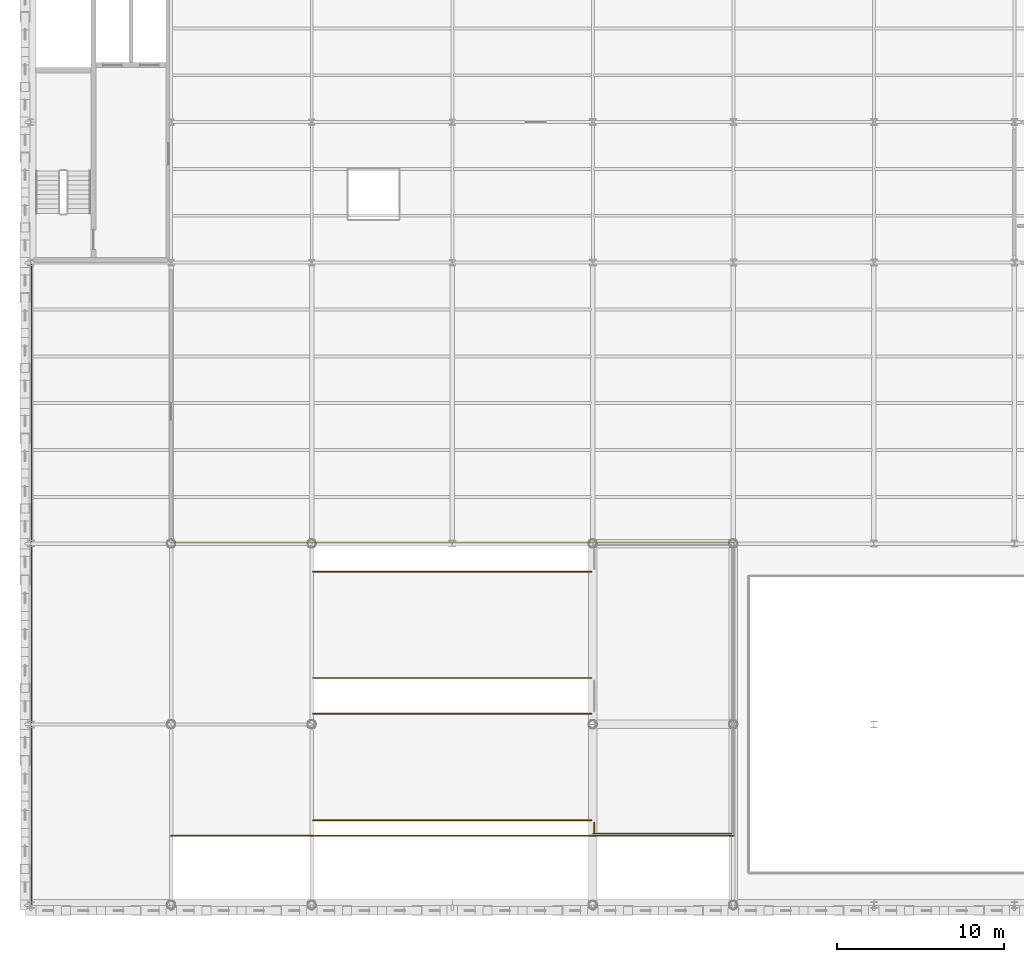
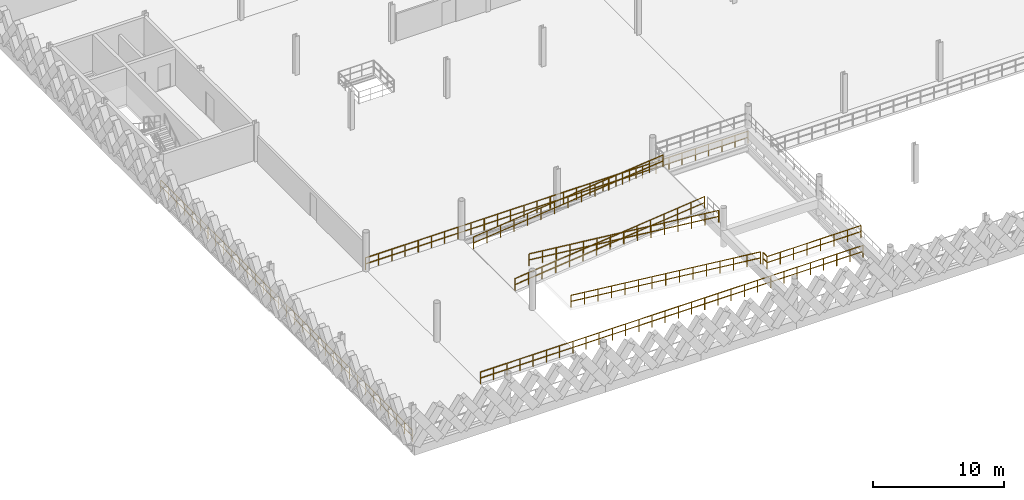
# One storey, part 91 of 101: 9 railings.
"""IFC4 building model written with IfcOpenShell, lengths in metres."""

from ifc_helpers import new_model, si_unit, direction, frame, origin, origin_2d, place, context, subcontext, project, spatial, circle, extrude, material, type_object, element, save


model = new_model("IFC4")

# Units and contexts
model_context = context("Model", 3, precision=1e-05, world=origin(), true_north=direction((0.0, 1.0)))
body_context = subcontext(model_context, "Body", "Model", "MODEL_VIEW")
ifc_project = project(units=[si_unit("LENGTHUNIT", "METRE"), si_unit("AREAUNIT", "SQUARE_METRE"), si_unit("VOLUMEUNIT", "CUBIC_METRE"), si_unit("PLANEANGLEUNIT", "RADIAN"), si_unit("MASSUNIT", "GRAM", prefix="KILO"), si_unit("THERMODYNAMICTEMPERATUREUNIT", "KELVIN"), si_unit("POWERUNIT", "WATT")], contexts=[model_context])

# Site, building, storey
site_placement = place(None, origin())
site = spatial("IfcSite", under=ifc_project, at=site_placement, CompositionType="ELEMENT")
building_placement = place(site_placement, origin())
building = spatial("IfcBuilding", under=site, at=building_placement, Name="Tembeka Court Mobility Hub", CompositionType="ELEMENT")
storey_placement = place(building_placement, frame((0.0, 0.0, 5.39990234375)))
storey = spatial("IfcBuildingStorey", under=building, at=storey_placement, Name="L01", CompositionType="ELEMENT", Elevation=5.39990234375)

# Railings
ifc_material = material(Name="Painted galvanised steel balustrade", Category="steel")
railing_type = type_object("IfcRailingType", Name="RL-GR02", PredefinedType="GUARDRAIL", material=ifc_material)
railing_1_placement = place(storey_placement, frame((0.050048828125, 0.080078125, 0.0)))
element("IfcRailing", 1, at=railing_1_placement, inside=storey, type_object=railing_type, Name="Perimeter guard GR02-0063", PredefinedType="GUARDRAIL", context=body_context, shape_type="SweptSolid", body=[
    extrude(circle(Radius=0.02392578125, at=origin_2d()), frame((0.0, 0.0, 1.09619140625), z_axis=(0.0, 1.0, 0.0), x_axis=(-1.0, 0.0, 0.0)), (0.0, 0.0, 1.0), 38.2900390625),
    extrude(circle(Radius=0.02392578125, at=origin_2d()), frame((0.0, 0.0, 0.5361328125), z_axis=(0.0, 1.0, 0.0), x_axis=(-1.0, 0.0, 0.0)), (0.0, 0.0, 1.0), 38.2900390625),
    extrude(circle(Radius=0.02099609375, at=origin_2d()), origin(), (0.0, 0.0, 1.0), 1.072021484375),
    extrude(circle(Radius=0.02099609375, at=origin_2d()), frame((0.0, 1.196533203125, 0.0)), (0.0, 0.0, 1.0), 1.072021484375),
    extrude(circle(Radius=0.02099609375, at=origin_2d()), frame((0.0, 2.39306640625, 0.0)), (0.0, 0.0, 1.0), 1.072021484375),
    extrude(circle(Radius=0.02099609375, at=origin_2d()), frame((0.0, 3.589599609375, 0.0)), (0.0, 0.0, 1.0), 1.072021484375),
    extrude(circle(Radius=0.02099609375, at=origin_2d()), frame((0.0, 4.7861328125, 0.0)), (0.0, 0.0, 1.0), 1.072021484375),
    extrude(circle(Radius=0.02099609375, at=origin_2d()), frame((0.0, 5.98291015625, 0.0)), (0.0, 0.0, 1.0), 1.072021484375),
    extrude(circle(Radius=0.02099609375, at=origin_2d()), frame((0.0, 7.179443359375, 0.0)), (0.0, 0.0, 1.0), 1.072021484375),
    extrude(circle(Radius=0.02099609375, at=origin_2d()), frame((0.0, 8.3759765625, 0.0)), (0.0, 0.0, 1.0), 1.072021484375),
    extrude(circle(Radius=0.02099609375, at=origin_2d()), frame((0.0, 9.572509765625, 0.0)), (0.0, 0.0, 1.0), 1.072021484375),
    extrude(circle(Radius=0.02099609375, at=origin_2d()), frame((0.0, 10.76904296875, 0.0)), (0.0, 0.0, 1.0), 1.072021484375),
    extrude(circle(Radius=0.02099609375, at=origin_2d()), frame((0.0, 11.965576171875, 0.0)), (0.0, 0.0, 1.0), 1.072021484375),
    extrude(circle(Radius=0.02099609375, at=origin_2d()), frame((0.0, 13.162109375, 0.0)), (0.0, 0.0, 1.0), 1.072021484375),
    extrude(circle(Radius=0.02099609375, at=origin_2d()), frame((0.0, 14.35888671875, 0.0)), (0.0, 0.0, 1.0), 1.072021484375),
    extrude(circle(Radius=0.02099609375, at=origin_2d()), frame((0.0, 15.555419921875, 0.0)), (0.0, 0.0, 1.0), 1.072021484375),
    extrude(circle(Radius=0.02099609375, at=origin_2d()), frame((0.0, 16.751953125, 0.0)), (0.0, 0.0, 1.0), 1.072021484375),
    extrude(circle(Radius=0.02099609375, at=origin_2d()), frame((0.0, 17.948486328125, 0.0)), (0.0, 0.0, 1.0), 1.072021484375),
    extrude(circle(Radius=0.02099609375, at=origin_2d()), frame((0.0, 19.14501953125, 0.0)), (0.0, 0.0, 1.0), 1.072021484375),
    extrude(circle(Radius=0.02099609375, at=origin_2d()), frame((0.0, 20.341552734375, 0.0)), (0.0, 0.0, 1.0), 1.072021484375),
    extrude(circle(Radius=0.02099609375, at=origin_2d()), frame((0.0, 21.5380859375, 0.0)), (0.0, 0.0, 1.0), 1.072021484375),
    extrude(circle(Radius=0.02099609375, at=origin_2d()), frame((0.0, 22.734619140625, 0.0)), (0.0, 0.0, 1.0), 1.072021484375),
    extrude(circle(Radius=0.02099609375, at=origin_2d()), frame((0.0, 23.93115234375, 0.0)), (0.0, 0.0, 1.0), 1.072021484375),
    extrude(circle(Radius=0.02099609375, at=origin_2d()), frame((0.0, 25.1279296875, 0.0)), (0.0, 0.0, 1.0), 1.072021484375),
    extrude(circle(Radius=0.02099609375, at=origin_2d()), frame((0.0, 26.324462890625, 0.0)), (0.0, 0.0, 1.0), 1.072021484375),
    extrude(circle(Radius=0.02099609375, at=origin_2d()), frame((0.0, 27.52099609375, 0.0)), (0.0, 0.0, 1.0), 1.072021484375),
    extrude(circle(Radius=0.02099609375, at=origin_2d()), frame((0.0, 28.717529296875, 0.0)), (0.0, 0.0, 1.0), 1.072021484375),
    extrude(circle(Radius=0.02099609375, at=origin_2d()), frame((0.0, 29.9140625, 0.0)), (0.0, 0.0, 1.0), 1.072021484375),
    extrude(circle(Radius=0.02099609375, at=origin_2d()), frame((0.0, 31.110595703125, 0.0)), (0.0, 0.0, 1.0), 1.072021484375),
    extrude(circle(Radius=0.02099609375, at=origin_2d()), frame((0.0, 32.30712890625, 0.0)), (0.0, 0.0, 1.0), 1.072021484375),
    extrude(circle(Radius=0.02099609375, at=origin_2d()), frame((0.0, 33.50390625, 0.0)), (0.0, 0.0, 1.0), 1.072021484375),
    extrude(circle(Radius=0.02099609375, at=origin_2d()), frame((0.0, 34.700439453125, 0.0)), (0.0, 0.0, 1.0), 1.072021484375),
    extrude(circle(Radius=0.02099609375, at=origin_2d()), frame((0.0, 35.89697265625, 0.0)), (0.0, 0.0, 1.0), 1.072021484375),
    extrude(circle(Radius=0.02099609375, at=origin_2d()), frame((0.0, 37.093505859375, 0.0)), (0.0, 0.0, 1.0), 1.072021484375),
    extrude(circle(Radius=0.02099609375, at=origin_2d()), frame((0.0, 38.2900390625, 0.0)), (0.0, 0.0, 1.0), 1.072021484375),
])
railing_2_placement = place(storey_placement, frame((8.3798828125, 4.14990234375, 0.0)))
element("IfcRailing", 2, at=railing_2_placement, inside=storey, type_object=railing_type, Name="Perimeter guard GR02-0262", PredefinedType="GUARDRAIL", context=body_context, shape_type="SweptSolid", body=[
    extrude(circle(Radius=0.02392578125, at=origin_2d()), frame((0.0, 0.0, 1.09619140625), z_axis=(1.0, 0.0, 0.0), x_axis=(0.0, 1.0, 0.0)), (0.0, 0.0, 1.0), 33.64013671875),
    extrude(circle(Radius=0.02392578125, at=origin_2d()), frame((0.0, 0.0, 0.5361328125), z_axis=(1.0, 0.0, 0.0), x_axis=(0.0, 1.0, 0.0)), (0.0, 0.0, 1.0), 33.64013671875),
    extrude(circle(Radius=0.02099609375, at=origin_2d()), origin(), (0.0, 0.0, 1.0), 1.072021484375),
    extrude(circle(Radius=0.02099609375, at=origin_2d()), frame((1.159912109375, 0.0, 0.0)), (0.0, 0.0, 1.0), 1.072021484375),
    extrude(circle(Radius=0.02099609375, at=origin_2d()), frame((2.320068359375, 0.0, 0.0)), (0.0, 0.0, 1.0), 1.072021484375),
    extrude(circle(Radius=0.02099609375, at=origin_2d()), frame((3.47998046875, 0.0, 0.0)), (0.0, 0.0, 1.0), 1.072021484375),
    extrude(circle(Radius=0.02099609375, at=origin_2d()), frame((4.64013671875, 0.0, 0.0)), (0.0, 0.0, 1.0), 1.072021484375),
    extrude(circle(Radius=0.02099609375, at=origin_2d()), frame((5.800048828125, 0.0, 0.0)), (0.0, 0.0, 1.0), 1.072021484375),
    extrude(circle(Radius=0.02099609375, at=origin_2d()), frame((6.9599609375, 0.0, 0.0)), (0.0, 0.0, 1.0), 1.072021484375),
    extrude(circle(Radius=0.02099609375, at=origin_2d()), frame((8.1201171875, 0.0, 0.0)), (0.0, 0.0, 1.0), 1.072021484375),
    extrude(circle(Radius=0.02099609375, at=origin_2d()), frame((9.280029296875, 0.0, 0.0)), (0.0, 0.0, 1.0), 1.072021484375),
    extrude(circle(Radius=0.02099609375, at=origin_2d()), frame((10.43994140625, 0.0, 0.0)), (0.0, 0.0, 1.0), 1.072021484375),
    extrude(circle(Radius=0.02099609375, at=origin_2d()), frame((11.60009765625, 0.0, 0.0)), (0.0, 0.0, 1.0), 1.072021484375),
    extrude(circle(Radius=0.02099609375, at=origin_2d()), frame((12.760009765625, 0.0, 0.0)), (0.0, 0.0, 1.0), 1.072021484375),
    extrude(circle(Radius=0.02099609375, at=origin_2d()), frame((13.920166015625, 0.0, 0.0)), (0.0, 0.0, 1.0), 1.072021484375),
    extrude(circle(Radius=0.02099609375, at=origin_2d()), frame((15.080078125, 0.0, 0.0)), (0.0, 0.0, 1.0), 1.072021484375),
    extrude(circle(Radius=0.02099609375, at=origin_2d()), frame((16.239990234375, 0.0, 0.0)), (0.0, 0.0, 1.0), 1.072021484375),
    extrude(circle(Radius=0.02099609375, at=origin_2d()), frame((17.400146484375, 0.0, 0.0)), (0.0, 0.0, 1.0), 1.072021484375),
    extrude(circle(Radius=0.02099609375, at=origin_2d()), frame((18.56005859375, 0.0, 0.0)), (0.0, 0.0, 1.0), 1.072021484375),
    extrude(circle(Radius=0.02099609375, at=origin_2d()), frame((19.719970703125, 0.0, 0.0)), (0.0, 0.0, 1.0), 1.072021484375),
    extrude(circle(Radius=0.02099609375, at=origin_2d()), frame((20.880126953125, 0.0, 0.0)), (0.0, 0.0, 1.0), 1.072021484375),
    extrude(circle(Radius=0.02099609375, at=origin_2d()), frame((22.0400390625, 0.0, 0.0)), (0.0, 0.0, 1.0), 1.072021484375),
    extrude(circle(Radius=0.02099609375, at=origin_2d()), frame((23.2001953125, 0.0, 0.0)), (0.0, 0.0, 1.0), 1.072021484375),
    extrude(circle(Radius=0.02099609375, at=origin_2d()), frame((24.360107421875, 0.0, 0.0)), (0.0, 0.0, 1.0), 1.072021484375),
    extrude(circle(Radius=0.02099609375, at=origin_2d()), frame((25.52001953125, 0.0, 0.0)), (0.0, 0.0, 1.0), 1.072021484375),
    extrude(circle(Radius=0.02099609375, at=origin_2d()), frame((26.68017578125, 0.0, 0.0)), (0.0, 0.0, 1.0), 1.072021484375),
    extrude(circle(Radius=0.02099609375, at=origin_2d()), frame((27.840087890625, 0.0, 0.0)), (0.0, 0.0, 1.0), 1.072021484375),
    extrude(circle(Radius=0.02099609375, at=origin_2d()), frame((29.0, 0.0, 0.0)), (0.0, 0.0, 1.0), 1.072021484375),
    extrude(circle(Radius=0.02099609375, at=origin_2d()), frame((30.16015625, 0.0, 0.0)), (0.0, 0.0, 1.0), 1.072021484375),
    extrude(circle(Radius=0.02099609375, at=origin_2d()), frame((31.320068359375, 0.0, 0.0)), (0.0, 0.0, 1.0), 1.072021484375),
    extrude(circle(Radius=0.02099609375, at=origin_2d()), frame((32.480224609375, 0.0, 0.0)), (0.0, 0.0, 1.0), 1.072021484375),
    extrude(circle(Radius=0.02099609375, at=origin_2d()), frame((33.64013671875, 0.0, 0.0)), (0.0, 0.0, 1.0), 1.072021484375),
])
railing_3_placement = place(storey_placement, frame((8.3798828125, 21.64990234375, 0.0)))
element("IfcRailing", 3, at=railing_3_placement, inside=storey, type_object=railing_type, Name="Perimeter guard GR02-0263", PredefinedType="GUARDRAIL", context=body_context, shape_type="SweptSolid", body=[
    extrude(circle(Radius=0.02392578125, at=origin_2d()), frame((0.0, 0.0, 1.09619140625), z_axis=(1.0, 0.0, 0.0), x_axis=(0.0, 1.0, 0.0)), (0.0, 0.0, 1.0), 33.64013671875),
    extrude(circle(Radius=0.02392578125, at=origin_2d()), frame((0.0, 0.0, 0.5361328125), z_axis=(1.0, 0.0, 0.0), x_axis=(0.0, 1.0, 0.0)), (0.0, 0.0, 1.0), 33.64013671875),
    extrude(circle(Radius=0.02099609375, at=origin_2d()), origin(), (0.0, 0.0, 1.0), 1.072021484375),
    extrude(circle(Radius=0.02099609375, at=origin_2d()), frame((1.159912109375, 0.0, 0.0)), (0.0, 0.0, 1.0), 1.072021484375),
    extrude(circle(Radius=0.02099609375, at=origin_2d()), frame((2.320068359375, 0.0, 0.0)), (0.0, 0.0, 1.0), 1.072021484375),
    extrude(circle(Radius=0.02099609375, at=origin_2d()), frame((3.47998046875, 0.0, 0.0)), (0.0, 0.0, 1.0), 1.072021484375),
    extrude(circle(Radius=0.02099609375, at=origin_2d()), frame((4.64013671875, 0.0, 0.0)), (0.0, 0.0, 1.0), 1.072021484375),
    extrude(circle(Radius=0.02099609375, at=origin_2d()), frame((5.800048828125, 0.0, 0.0)), (0.0, 0.0, 1.0), 1.072021484375),
    extrude(circle(Radius=0.02099609375, at=origin_2d()), frame((6.9599609375, 0.0, 0.0)), (0.0, 0.0, 1.0), 1.072021484375),
    extrude(circle(Radius=0.02099609375, at=origin_2d()), frame((8.1201171875, 0.0, 0.0)), (0.0, 0.0, 1.0), 1.072021484375),
    extrude(circle(Radius=0.02099609375, at=origin_2d()), frame((9.280029296875, 0.0, 0.0)), (0.0, 0.0, 1.0), 1.072021484375),
    extrude(circle(Radius=0.02099609375, at=origin_2d()), frame((10.43994140625, 0.0, 0.0)), (0.0, 0.0, 1.0), 1.072021484375),
    extrude(circle(Radius=0.02099609375, at=origin_2d()), frame((11.60009765625, 0.0, 0.0)), (0.0, 0.0, 1.0), 1.072021484375),
    extrude(circle(Radius=0.02099609375, at=origin_2d()), frame((12.760009765625, 0.0, 0.0)), (0.0, 0.0, 1.0), 1.072021484375),
    extrude(circle(Radius=0.02099609375, at=origin_2d()), frame((13.920166015625, 0.0, 0.0)), (0.0, 0.0, 1.0), 1.072021484375),
    extrude(circle(Radius=0.02099609375, at=origin_2d()), frame((15.080078125, 0.0, 0.0)), (0.0, 0.0, 1.0), 1.072021484375),
    extrude(circle(Radius=0.02099609375, at=origin_2d()), frame((16.239990234375, 0.0, 0.0)), (0.0, 0.0, 1.0), 1.072021484375),
    extrude(circle(Radius=0.02099609375, at=origin_2d()), frame((17.400146484375, 0.0, 0.0)), (0.0, 0.0, 1.0), 1.072021484375),
    extrude(circle(Radius=0.02099609375, at=origin_2d()), frame((18.56005859375, 0.0, 0.0)), (0.0, 0.0, 1.0), 1.072021484375),
    extrude(circle(Radius=0.02099609375, at=origin_2d()), frame((19.719970703125, 0.0, 0.0)), (0.0, 0.0, 1.0), 1.072021484375),
    extrude(circle(Radius=0.02099609375, at=origin_2d()), frame((20.880126953125, 0.0, 0.0)), (0.0, 0.0, 1.0), 1.072021484375),
    extrude(circle(Radius=0.02099609375, at=origin_2d()), frame((22.0400390625, 0.0, 0.0)), (0.0, 0.0, 1.0), 1.072021484375),
    extrude(circle(Radius=0.02099609375, at=origin_2d()), frame((23.2001953125, 0.0, 0.0)), (0.0, 0.0, 1.0), 1.072021484375),
    extrude(circle(Radius=0.02099609375, at=origin_2d()), frame((24.360107421875, 0.0, 0.0)), (0.0, 0.0, 1.0), 1.072021484375),
    extrude(circle(Radius=0.02099609375, at=origin_2d()), frame((25.52001953125, 0.0, 0.0)), (0.0, 0.0, 1.0), 1.072021484375),
    extrude(circle(Radius=0.02099609375, at=origin_2d()), frame((26.68017578125, 0.0, 0.0)), (0.0, 0.0, 1.0), 1.072021484375),
    extrude(circle(Radius=0.02099609375, at=origin_2d()), frame((27.840087890625, 0.0, 0.0)), (0.0, 0.0, 1.0), 1.072021484375),
    extrude(circle(Radius=0.02099609375, at=origin_2d()), frame((29.0, 0.0, 0.0)), (0.0, 0.0, 1.0), 1.072021484375),
    extrude(circle(Radius=0.02099609375, at=origin_2d()), frame((30.16015625, 0.0, 0.0)), (0.0, 0.0, 1.0), 1.072021484375),
    extrude(circle(Radius=0.02099609375, at=origin_2d()), frame((31.320068359375, 0.0, 0.0)), (0.0, 0.0, 1.0), 1.072021484375),
    extrude(circle(Radius=0.02099609375, at=origin_2d()), frame((32.480224609375, 0.0, 0.0)), (0.0, 0.0, 1.0), 1.072021484375),
    extrude(circle(Radius=0.02099609375, at=origin_2d()), frame((33.64013671875, 0.0, 0.0)), (0.0, 0.0, 1.0), 1.072021484375),
])
railing_4_placement = place(storey_placement, frame((16.869873046875, 13.570068359375, 0.00341796875)))
element("IfcRailing", 4, at=railing_4_placement, inside=storey, type_object=railing_type, Name="Perimeter guard GR02-0297", PredefinedType="GUARDRAIL", context=body_context, shape_type="SweptSolid", body=[
    extrude(circle(Radius=0.02392578125, at=origin_2d()), frame((0.0, 0.0, 1.09619140625), z_axis=(0.994255840215, 0.0, 0.107029548251), x_axis=(0.0, 1.0, 0.0)), (0.0, 0.0, 1.0), 16.756591796875),
    extrude(circle(Radius=0.02392578125, at=origin_2d()), frame((0.0, 0.0, 0.5361328125), z_axis=(0.994255840215, 0.0, 0.107029548251), x_axis=(0.0, 1.0, 0.0)), (0.0, 0.0, 1.0), 16.756591796875),
    extrude(circle(Radius=0.02099609375, at=origin_2d()), origin(), (0.0, 0.0, 1.0), 1.072021484375),
    extrude(circle(Radius=0.02099609375, at=origin_2d()), frame((1.18994140625, 0.0, 0.128173828125)), (0.0, 0.0, 1.0), 1.072021484375),
    extrude(circle(Radius=0.02099609375, at=origin_2d()), frame((2.380126953125, 0.0, 0.256103515625)), (0.0, 0.0, 1.0), 1.072021484375),
    extrude(circle(Radius=0.02099609375, at=origin_2d()), frame((3.570068359375, 0.0, 0.38427734375)), (0.0, 0.0, 1.0), 1.072021484375),
    extrude(circle(Radius=0.02099609375, at=origin_2d()), frame((4.760009765625, 0.0, 0.512451171875)), (0.0, 0.0, 1.0), 1.072021484375),
    extrude(circle(Radius=0.02099609375, at=origin_2d()), frame((5.9501953125, 0.0, 0.640625)), (0.0, 0.0, 1.0), 1.072021484375),
    extrude(circle(Radius=0.02099609375, at=origin_2d()), frame((7.14013671875, 0.0, 0.7685546875)), (0.0, 0.0, 1.0), 1.072021484375),
    extrude(circle(Radius=0.02099609375, at=origin_2d()), frame((8.330078125, 0.0, 0.896728515625)), (0.0, 0.0, 1.0), 1.072021484375),
    extrude(circle(Radius=0.02099609375, at=origin_2d()), frame((9.520263671875, 0.0, 1.02490234375)), (0.0, 0.0, 1.0), 1.072021484375),
    extrude(circle(Radius=0.02099609375, at=origin_2d()), frame((10.710205078125, 0.0, 1.15283203125)), (0.0, 0.0, 1.0), 1.072021484375),
    extrude(circle(Radius=0.02099609375, at=origin_2d()), frame((11.900390625, 0.0, 1.281005859375)), (0.0, 0.0, 1.0), 1.072021484375),
    extrude(circle(Radius=0.02099609375, at=origin_2d()), frame((13.09033203125, 0.0, 1.4091796875)), (0.0, 0.0, 1.0), 1.072021484375),
    extrude(circle(Radius=0.02099609375, at=origin_2d()), frame((14.2802734375, 0.0, 1.537353515625)), (0.0, 0.0, 1.0), 1.072021484375),
    extrude(circle(Radius=0.02099609375, at=origin_2d()), frame((15.470458984375, 0.0, 1.665283203125)), (0.0, 0.0, 1.0), 1.072021484375),
    extrude(circle(Radius=0.02099609375, at=origin_2d()), frame((16.660400390625, 0.0, 1.79345703125)), (0.0, 0.0, 1.0), 1.072021484375),
])
railing_5_placement = place(storey_placement, frame((33.5302734375, 5.070068359375, 1.80322265625)))
element("IfcRailing", 5, at=railing_5_placement, inside=storey, type_object=railing_type, Name="Perimeter guard GR02-0298", PredefinedType="GUARDRAIL", context=body_context, shape_type="SweptSolid", body=[
    extrude(circle(Radius=0.02392578125, at=origin_2d()), frame((0.0, 0.0, 1.09619140625), z_axis=(-0.994254289674, 0.0, 0.107043951089), x_axis=(0.0, -1.0, 0.0)), (0.0, 0.0, 1.0), 16.756591796875),
    extrude(circle(Radius=0.02392578125, at=origin_2d()), frame((0.0, 0.0, 0.5361328125), z_axis=(-0.994254289674, 0.0, 0.107043951089), x_axis=(0.0, -1.0, 0.0)), (0.0, 0.0, 1.0), 16.756591796875),
    extrude(circle(Radius=0.02099609375, at=origin_2d()), origin(), (0.0, 0.0, 1.0), 1.072021484375),
    extrude(circle(Radius=0.02099609375, at=origin_2d()), frame((-1.18994140625, 0.0, 0.128173828125)), (0.0, 0.0, 1.0), 1.072021484375),
    extrude(circle(Radius=0.02099609375, at=origin_2d()), frame((-2.380126953125, 0.0, 0.25634765625)), (0.0, 0.0, 1.0), 1.072021484375),
    extrude(circle(Radius=0.02099609375, at=origin_2d()), frame((-3.570068359375, 0.0, 0.38427734375)), (0.0, 0.0, 1.0), 1.072021484375),
    extrude(circle(Radius=0.02099609375, at=origin_2d()), frame((-4.760009765625, 0.0, 0.512451171875)), (0.0, 0.0, 1.0), 1.072021484375),
    extrude(circle(Radius=0.02099609375, at=origin_2d()), frame((-5.9501953125, 0.0, 0.640625)), (0.0, 0.0, 1.0), 1.072021484375),
    extrude(circle(Radius=0.02099609375, at=origin_2d()), frame((-7.14013671875, 0.0, 0.768798828125)), (0.0, 0.0, 1.0), 1.072021484375),
    extrude(circle(Radius=0.02099609375, at=origin_2d()), frame((-8.330078125, 0.0, 0.89697265625)), (0.0, 0.0, 1.0), 1.072021484375),
    extrude(circle(Radius=0.02099609375, at=origin_2d()), frame((-9.520263671875, 0.0, 1.02490234375)), (0.0, 0.0, 1.0), 1.072021484375),
    extrude(circle(Radius=0.02099609375, at=origin_2d()), frame((-10.710205078125, 0.0, 1.153076171875)), (0.0, 0.0, 1.0), 1.072021484375),
    extrude(circle(Radius=0.02099609375, at=origin_2d()), frame((-11.900390625, 0.0, 1.28125)), (0.0, 0.0, 1.0), 1.072021484375),
    extrude(circle(Radius=0.02099609375, at=origin_2d()), frame((-13.09033203125, 0.0, 1.409423828125)), (0.0, 0.0, 1.0), 1.072021484375),
    extrude(circle(Radius=0.02099609375, at=origin_2d()), frame((-14.2802734375, 0.0, 1.537353515625)), (0.0, 0.0, 1.0), 1.072021484375),
    extrude(circle(Radius=0.02099609375, at=origin_2d()), frame((-15.470458984375, 0.0, 1.66552734375)), (0.0, 0.0, 1.0), 1.072021484375),
    extrude(circle(Radius=0.02099609375, at=origin_2d()), frame((-16.660400390625, 0.0, 1.793701171875)), (0.0, 0.0, 1.0), 1.072021484375),
])
railing_6_placement = place(storey_placement, frame((16.869873046875, 19.929931640625, 0.00341796875)))
element("IfcRailing", 6, at=railing_6_placement, inside=storey, type_object=railing_type, Name="Perimeter guard GR02-0299", PredefinedType="GUARDRAIL", context=body_context, shape_type="SweptSolid", body=[
    extrude(circle(Radius=0.02392578125, at=origin_2d()), frame((0.0, 0.0, 1.09619140625), z_axis=(0.994255840215, 0.0, 0.107029548251), x_axis=(0.0, 1.0, 0.0)), (0.0, 0.0, 1.0), 16.756591796875),
    extrude(circle(Radius=0.02392578125, at=origin_2d()), frame((0.0, 0.0, 0.5361328125), z_axis=(0.994255840215, 0.0, 0.107029548251), x_axis=(0.0, 1.0, 0.0)), (0.0, 0.0, 1.0), 16.756591796875),
    extrude(circle(Radius=0.02099609375, at=origin_2d()), origin(), (0.0, 0.0, 1.0), 1.072021484375),
    extrude(circle(Radius=0.02099609375, at=origin_2d()), frame((1.18994140625, 0.0, 0.128173828125)), (0.0, 0.0, 1.0), 1.072021484375),
    extrude(circle(Radius=0.02099609375, at=origin_2d()), frame((2.380126953125, 0.0, 0.256103515625)), (0.0, 0.0, 1.0), 1.072021484375),
    extrude(circle(Radius=0.02099609375, at=origin_2d()), frame((3.570068359375, 0.0, 0.38427734375)), (0.0, 0.0, 1.0), 1.072021484375),
    extrude(circle(Radius=0.02099609375, at=origin_2d()), frame((4.760009765625, 0.0, 0.512451171875)), (0.0, 0.0, 1.0), 1.072021484375),
    extrude(circle(Radius=0.02099609375, at=origin_2d()), frame((5.9501953125, 0.0, 0.640625)), (0.0, 0.0, 1.0), 1.072021484375),
    extrude(circle(Radius=0.02099609375, at=origin_2d()), frame((7.14013671875, 0.0, 0.7685546875)), (0.0, 0.0, 1.0), 1.072021484375),
    extrude(circle(Radius=0.02099609375, at=origin_2d()), frame((8.330078125, 0.0, 0.896728515625)), (0.0, 0.0, 1.0), 1.072021484375),
    extrude(circle(Radius=0.02099609375, at=origin_2d()), frame((9.520263671875, 0.0, 1.02490234375)), (0.0, 0.0, 1.0), 1.072021484375),
    extrude(circle(Radius=0.02099609375, at=origin_2d()), frame((10.710205078125, 0.0, 1.15283203125)), (0.0, 0.0, 1.0), 1.072021484375),
    extrude(circle(Radius=0.02099609375, at=origin_2d()), frame((11.900390625, 0.0, 1.281005859375)), (0.0, 0.0, 1.0), 1.072021484375),
    extrude(circle(Radius=0.02099609375, at=origin_2d()), frame((13.09033203125, 0.0, 1.4091796875)), (0.0, 0.0, 1.0), 1.072021484375),
    extrude(circle(Radius=0.02099609375, at=origin_2d()), frame((14.2802734375, 0.0, 1.537353515625)), (0.0, 0.0, 1.0), 1.072021484375),
    extrude(circle(Radius=0.02099609375, at=origin_2d()), frame((15.470458984375, 0.0, 1.665283203125)), (0.0, 0.0, 1.0), 1.072021484375),
    extrude(circle(Radius=0.02099609375, at=origin_2d()), frame((16.660400390625, 0.0, 1.79345703125)), (0.0, 0.0, 1.0), 1.072021484375),
])
railing_7_placement = place(storey_placement, frame((33.5302734375, 11.429931640625, 1.80322265625)))
element("IfcRailing", 7, at=railing_7_placement, inside=storey, type_object=railing_type, Name="Perimeter guard GR02-0300", PredefinedType="GUARDRAIL", context=body_context, shape_type="SweptSolid", body=[
    extrude(circle(Radius=0.02392578125, at=origin_2d()), frame((0.0, 0.0, 1.09619140625), z_axis=(-0.994254289674, 0.0, 0.107043951089), x_axis=(0.0, -1.0, 0.0)), (0.0, 0.0, 1.0), 16.756591796875),
    extrude(circle(Radius=0.02392578125, at=origin_2d()), frame((0.0, 0.0, 0.5361328125), z_axis=(-0.994254289674, 0.0, 0.107043951089), x_axis=(0.0, -1.0, 0.0)), (0.0, 0.0, 1.0), 16.756591796875),
    extrude(circle(Radius=0.02099609375, at=origin_2d()), origin(), (0.0, 0.0, 1.0), 1.072021484375),
    extrude(circle(Radius=0.02099609375, at=origin_2d()), frame((-1.18994140625, 0.0, 0.128173828125)), (0.0, 0.0, 1.0), 1.072021484375),
    extrude(circle(Radius=0.02099609375, at=origin_2d()), frame((-2.380126953125, 0.0, 0.25634765625)), (0.0, 0.0, 1.0), 1.072021484375),
    extrude(circle(Radius=0.02099609375, at=origin_2d()), frame((-3.570068359375, 0.0, 0.38427734375)), (0.0, 0.0, 1.0), 1.072021484375),
    extrude(circle(Radius=0.02099609375, at=origin_2d()), frame((-4.760009765625, 0.0, 0.512451171875)), (0.0, 0.0, 1.0), 1.072021484375),
    extrude(circle(Radius=0.02099609375, at=origin_2d()), frame((-5.9501953125, 0.0, 0.640625)), (0.0, 0.0, 1.0), 1.072021484375),
    extrude(circle(Radius=0.02099609375, at=origin_2d()), frame((-7.14013671875, 0.0, 0.768798828125)), (0.0, 0.0, 1.0), 1.072021484375),
    extrude(circle(Radius=0.02099609375, at=origin_2d()), frame((-8.330078125, 0.0, 0.89697265625)), (0.0, 0.0, 1.0), 1.072021484375),
    extrude(circle(Radius=0.02099609375, at=origin_2d()), frame((-9.520263671875, 0.0, 1.02490234375)), (0.0, 0.0, 1.0), 1.072021484375),
    extrude(circle(Radius=0.02099609375, at=origin_2d()), frame((-10.710205078125, 0.0, 1.153076171875)), (0.0, 0.0, 1.0), 1.072021484375),
    extrude(circle(Radius=0.02099609375, at=origin_2d()), frame((-11.900390625, 0.0, 1.28125)), (0.0, 0.0, 1.0), 1.072021484375),
    extrude(circle(Radius=0.02099609375, at=origin_2d()), frame((-13.09033203125, 0.0, 1.409423828125)), (0.0, 0.0, 1.0), 1.072021484375),
    extrude(circle(Radius=0.02099609375, at=origin_2d()), frame((-14.2802734375, 0.0, 1.537353515625)), (0.0, 0.0, 1.0), 1.072021484375),
    extrude(circle(Radius=0.02099609375, at=origin_2d()), frame((-15.470458984375, 0.0, 1.66552734375)), (0.0, 0.0, 1.0), 1.072021484375),
    extrude(circle(Radius=0.02099609375, at=origin_2d()), frame((-16.660400390625, 0.0, 1.793701171875)), (0.0, 0.0, 1.0), 1.072021484375),
])
railing_8_placement = place(storey_placement, frame((33.6298828125, 4.280029296875, 1.800048828125)))
element("IfcRailing", 8, at=railing_8_placement, inside=storey, type_object=railing_type, Name="Perimeter guard GR02-0301", PredefinedType="GUARDRAIL", context=body_context, shape_type="SweptSolid", body=[
    extrude(circle(Radius=0.02392578125, at=origin_2d()), frame((0.0, 0.0, 1.09619140625), z_axis=(1.0, 0.0, 0.0), x_axis=(0.0, 1.0, 0.0)), (0.0, 0.0, 1.0), 8.260009765625),
    extrude(circle(Radius=0.02392578125, at=origin_2d()), frame((0.0, 0.0, 0.5361328125), z_axis=(1.0, 0.0, 0.0), x_axis=(0.0, 1.0, 0.0)), (0.0, 0.0, 1.0), 8.260009765625),
    extrude(circle(Radius=0.02099609375, at=origin_2d()), origin(), (0.0, 0.0, 1.0), 1.072021484375),
    extrude(circle(Radius=0.02099609375, at=origin_2d()), frame((1.179931640625, 0.0, 0.0)), (0.0, 0.0, 1.0), 1.072021484375),
    extrude(circle(Radius=0.02099609375, at=origin_2d()), frame((2.360107421875, 0.0, 0.0)), (0.0, 0.0, 1.0), 1.072021484375),
    extrude(circle(Radius=0.02099609375, at=origin_2d()), frame((3.5400390625, 0.0, 0.0)), (0.0, 0.0, 1.0), 1.072021484375),
    extrude(circle(Radius=0.02099609375, at=origin_2d()), frame((4.719970703125, 0.0, 0.0)), (0.0, 0.0, 1.0), 1.072021484375),
    extrude(circle(Radius=0.02099609375, at=origin_2d()), frame((5.89990234375, 0.0, 0.0)), (0.0, 0.0, 1.0), 1.072021484375),
    extrude(circle(Radius=0.02099609375, at=origin_2d()), frame((7.080078125, 0.0, 0.0)), (0.0, 0.0, 1.0), 1.072021484375),
    extrude(circle(Radius=0.02099609375, at=origin_2d()), frame((8.260009765625, 0.0, 0.0)), (0.0, 0.0, 1.0), 1.072021484375),
])
railing_9_placement = place(storey_placement, frame((33.679931640625, 4.31005859375, 1.800048828125)))
element("IfcRailing", 9, at=railing_9_placement, inside=storey, type_object=railing_type, Name="Perimeter guard GR02-0304", PredefinedType="GUARDRAIL", context=body_context, shape_type="SweptSolid", body=[
    extrude(circle(Radius=0.02392578125, at=origin_2d()), frame((0.0, 0.0, 1.09619140625), z_axis=(0.0, 1.0, 0.0), x_axis=(-1.0, 0.0, 0.0)), (0.0, 0.0, 1.0), 0.60986328125),
    extrude(circle(Radius=0.02392578125, at=origin_2d()), frame((0.0, 0.0, 0.5361328125), z_axis=(0.0, 1.0, 0.0), x_axis=(-1.0, 0.0, 0.0)), (0.0, 0.0, 1.0), 0.60986328125),
    extrude(circle(Radius=0.02099609375, at=origin_2d()), origin(), (0.0, 0.0, 1.0), 1.072021484375),
    extrude(circle(Radius=0.02099609375, at=origin_2d()), frame((0.0, 0.60986328125, 0.0)), (0.0, 0.0, 1.0), 1.072021484375),
])

save(model, "model.ifc")
